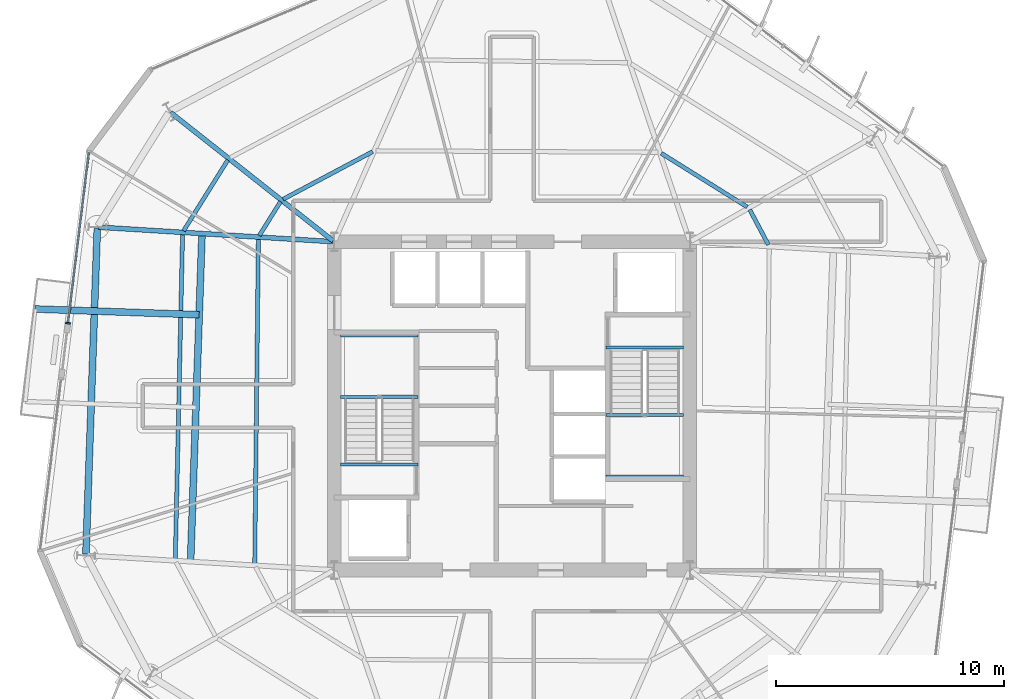
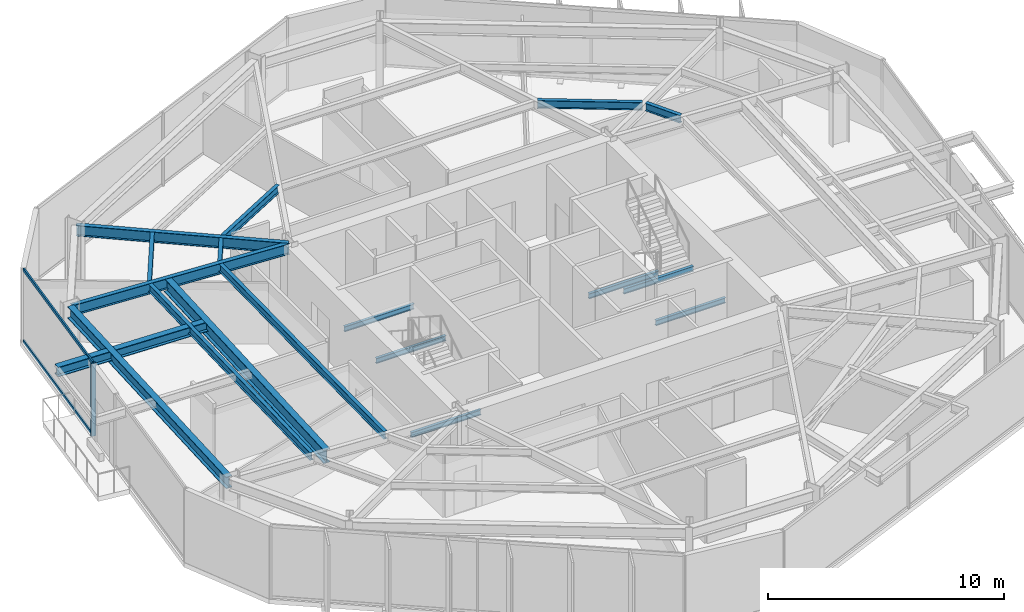
# One storey, part 3 of 11: 18 beams, 3 members, 1 element without a shape of its own.
"""IFC4 building model written with IfcOpenShell, lengths in metres."""

from ifc_helpers import new_model, si_unit, direction, frame, origin, origin_2d, place, context, subcontext, project, spatial, rectangle, i_section, extrude, material, layer, layer_set, material_profile, profile_set, type_object, element, aggregate, save


model = new_model("IFC4")

# Units and contexts
model_context = context("Model", 3, precision=1e-05, world=origin(), true_north=direction((0.0, 1.0)))
body_context = subcontext(model_context, "Body", "Model", "MODEL_VIEW")
ifc_project = project(units=[si_unit("LENGTHUNIT", "METRE"), si_unit("AREAUNIT", "SQUARE_METRE"), si_unit("VOLUMEUNIT", "CUBIC_METRE"), si_unit("PLANEANGLEUNIT", "RADIAN"), si_unit("MASSUNIT", "GRAM", prefix="KILO")], contexts=[model_context])

# Site, building, storey
site_placement = place(None, origin())
site = spatial("IfcSite", under=ifc_project, at=site_placement, CompositionType="ELEMENT")
building_placement = place(site_placement, origin())
building = spatial("IfcBuilding", under=site, at=building_placement, Name="Kranzbogen Civic Tower", CompositionType="ELEMENT")
storey_placement = place(building_placement, frame((0.0, 0.0, 114.39990234375)))
storey = spatial("IfcBuildingStorey", under=building, at=storey_placement, Name="L27", CompositionType="ELEMENT", Elevation=114.39990234375)

# Curtain wall, members
ifc_material_1 = material(Name="Pale Anodised Aluminium", Category="aluminium")
ifc_layer = layer(ifc_material_1, 0.219970703125, Name="Pale Anodised Aluminium")
ifc_layer_set = layer_set([ifc_layer], Name="Pale Anodised Aluminium")
curtain_wall_type = type_object("IfcCurtainWallType", Name="Zone 2 Stick Curtain Wall System CW-03", PredefinedType="USERDEFINED", material=ifc_layer_set)
curtain_wall_placement = place(storey_placement, origin())
curtain_wall = element("IfcCurtainWall", 1, at=curtain_wall_placement, inside=storey, type_object=curtain_wall_type, Name="L27 curtain wall CW-L27-F3-S1", ObjectType="STICK CURTAIN WALL", PredefinedType="USERDEFINED")
ifc_material_profile_1 = material_profile(ifc_material_1, rectangle(XDim=0.074951171875, YDim=0.219970703125, at=origin_2d()), Name="ALU-M 75x220")
ifc_profile_set_1 = profile_set([ifc_material_profile_1], Name="Pale Anodised Aluminium")
member_type_1 = type_object("IfcMemberType", Name="Curtain Wall Mullion ALU-M 75x220", PredefinedType="MULLION", material=ifc_profile_set_1)
member_1_placement = place(storey_placement, frame((5.525634765625, 28.6298828125, 0.0), z_axis=(0.0, 0.0, 1.0), x_axis=(-0.121809807043, -0.992553459975, 0.0)))
member_1 = element("IfcMember", 2, at=member_1_placement, type_object=member_type_1, Name="CW-03 mullion 2", PredefinedType="MULLION", context=body_context, shape_type="SweptSolid", body=[
    extrude(rectangle(XDim=0.074951171875, YDim=0.219970703125, at=origin_2d()), origin(), (0.0, 0.0, 1.0), 3.760009765625),
])
ifc_material_profile_2 = material_profile(ifc_material_1, rectangle(XDim=0.074951171875, YDim=0.1650390625, at=origin_2d()), Name="ALU-T 75x165")
ifc_profile_set_2 = profile_set([ifc_material_profile_2], Name="Pale Anodised Aluminium")
member_type_2 = type_object("IfcMemberType", Name="Curtain Wall Transom ALU-T 75x165", PredefinedType="USERDEFINED", material=ifc_profile_set_2)
member_2_placement = place(storey_placement, frame((6.444580078125, 36.118408203125, 0.030029296875), z_axis=(-0.121799214261, -0.992554759903, 0.0), x_axis=(0.992554759903, -0.121799214261, 0.0)))
member_2 = element("IfcMember", 3, at=member_2_placement, type_object=member_type_2, Name="CW-03 transom 1.1", ObjectType="TRANSOM", PredefinedType="USERDEFINED", context=body_context, shape_type="SweptSolid", body=[
    extrude(rectangle(XDim=0.074951171875, YDim=0.1650390625, at=origin_2d()), origin(), (0.0, 0.0, 1.0), 7.5146484375),
])
member_3_placement = place(storey_placement, frame((6.444580078125, 36.118408203125, 3.72998046875), z_axis=(-0.121799214261, -0.992554759903, 0.0), x_axis=(0.992554759903, -0.121799214261, 0.0)))
member_3 = element("IfcMember", 4, at=member_3_placement, type_object=member_type_2, Name="CW-03 transom 1.2", ObjectType="TRANSOM", PredefinedType="USERDEFINED", context=body_context, shape_type="SweptSolid", body=[
    extrude(rectangle(XDim=0.074951171875, YDim=0.1650390625, at=origin_2d()), origin(), (0.0, 0.0, 1.0), 7.5146484375),
])
aggregate(curtain_wall, [member_1, member_2, member_3])

# Beams
ifc_material_2 = material(Name="Steel S355", Category="steel")
ifc_material_profile_3 = material_profile(ifc_material_2, i_section(OverallWidth=0.300048828125, OverallDepth=0.5, WebThickness=0.014404296875, FlangeThickness=0.028076171875, at=origin_2d()), Name="HEB 500")
ifc_profile_set_3 = profile_set([ifc_material_profile_3], Name="Steel S355")
beam_type_1 = type_object("IfcBeamType", Name="Perimeter Tube Spandrel Beam HEB 500", PredefinedType="SPANDREL", material=ifc_profile_set_3)
beam_1_placement = place(storey_placement, frame((11.280029296875, 28.9990234375, 3.5), z_axis=(-0.999388281297, 0.034972320582, 0.0), x_axis=(-0.034972320582, -0.999388281297, 0.0)))
element("IfcBeam", 5, at=beam_1_placement, inside=storey, type_object=beam_type_1, Name="L28 back-spanned terrace beam L28-TB2-1", PredefinedType="SPANDREL", context=body_context, shape_type="SweptSolid", body=[
    extrude(i_section(OverallWidth=0.300048828125, OverallDepth=0.5, WebThickness=0.014404296875, FlangeThickness=0.028076171875, at=origin_2d()), origin(), (0.0, 0.0, 1.0), 7.204345703125),
])
ifc_material_profile_4 = material_profile(ifc_material_2, i_section(OverallWidth=0.300048828125, OverallDepth=0.60009765625, WebThickness=0.015380859375, FlangeThickness=0.030029296875, at=origin_2d()), Name="HEB 600")
ifc_profile_set_4 = profile_set([ifc_material_profile_4], Name="Steel S355")
beam_type_2 = type_object("IfcBeamType", Name="Perimeter Tube Spandrel Beam HEB 600", PredefinedType="SPANDREL", material=ifc_profile_set_4)
beam_2_placement = place(storey_placement, frame((6.81103515625, 32.783935546875, 3.460205078125), z_axis=(-0.034924229103, -0.999389963038, 0.0), x_axis=(0.999389963038, -0.034924229103, 0.0)))
element("IfcBeam", 6, at=beam_2_placement, inside=storey, type_object=beam_type_2, Name="L27 perimeter spandrel beam 12", PredefinedType="SPANDREL", context=body_context, shape_type="SweptSolid", body=[
    extrude(i_section(OverallWidth=0.300048828125, OverallDepth=0.60009765625, WebThickness=0.015380859375, FlangeThickness=0.030029296875, at=origin_2d()), origin(), (0.0, 0.0, 1.0), 14.288818359375),
])
ifc_material_profile_5 = material_profile(ifc_material_2, i_section(OverallWidth=0.300048828125, OverallDepth=0.699951171875, WebThickness=0.01708984375, FlangeThickness=0.031982421875, at=origin_2d()), Name="HEB 700")
ifc_profile_set_5 = profile_set([ifc_material_profile_5], Name="Steel S355")
beam_type_3 = type_object("IfcBeamType", Name="Perimeter Tube Spandrel Beam HEB 700", PredefinedType="SPANDREL", material=ifc_profile_set_5)
beam_3_placement = place(storey_placement, frame((11.404052734375, 32.55908203125, 3.400146484375), z_axis=(-0.034868227602, -0.99939191847, 0.0), x_axis=(0.99939191847, -0.034868227602, 0.0)))
element("IfcBeam", 7, at=beam_3_placement, inside=storey, type_object=beam_type_3, Name="L28 balcony back-span header girder L28-TB2", PredefinedType="SPANDREL", context=body_context, shape_type="SweptSolid", body=[
    extrude(i_section(OverallWidth=0.300048828125, OverallDepth=0.699951171875, WebThickness=0.01708984375, FlangeThickness=0.031982421875, at=origin_2d()), origin(), (0.0, 0.0, 1.0), 14.395751953125),
])
ifc_material_profile_6 = material_profile(ifc_material_2, i_section(OverallWidth=0.2099609375, OverallDepth=0.550048828125, WebThickness=0.010986328125, FlangeThickness=0.01708984375, at=origin_2d()), Name="IPE 550")
ifc_profile_set_6 = profile_set([ifc_material_profile_6], Name="Steel S355")
beam_type_4 = type_object("IfcBeamType", Name="Radial Tower Floor Girder IPE 550", PredefinedType="BEAM", material=ifc_profile_set_6)
beam_4_placement = place(storey_placement, frame((10.02392578125, 37.87109375, 3.485107421875), z_axis=(0.78457455683, -0.620034486763, 0.0), x_axis=(0.620034486763, 0.78457455683, 0.0)))
element("IfcBeam", 8, at=beam_4_placement, inside=storey, type_object=beam_type_4, Name="L27 radial floor girder 11", PredefinedType="BEAM", context=body_context, shape_type="SweptSolid", body=[
    extrude(i_section(OverallWidth=0.2099609375, OverallDepth=0.550048828125, WebThickness=0.010986328125, FlangeThickness=0.01708984375, at=origin_2d()), origin(), (0.0, 0.0, 1.0), 9.086669921875),
])
beam_5_placement = place(storey_placement, frame((6.873046875, 32.840087890625, 3.485107421875), z_axis=(0.998086872961, -0.061827130147, 0.0), x_axis=(0.061827130147, 0.998086872961, 0.0)))
element("IfcBeam", 9, at=beam_5_placement, inside=storey, type_object=beam_type_4, Name="L27 radial floor girder 12", PredefinedType="BEAM", context=body_context, shape_type="SweptSolid", body=[
    extrude(i_section(OverallWidth=0.2099609375, OverallDepth=0.550048828125, WebThickness=0.010986328125, FlangeThickness=0.01708984375, at=origin_2d()), origin(), (0.0, 0.0, 1.0), 10.28662109375),
])
ifc_material_profile_7 = material_profile(ifc_material_2, i_section(OverallWidth=0.179931640625, OverallDepth=0.39990234375, WebThickness=0.008544921875, FlangeThickness=0.013427734375, at=origin_2d()), Name="IPE 400")
ifc_profile_set_7 = profile_set([ifc_material_profile_7], Name="Steel S355")
beam_type_5 = type_object("IfcBeamType", Name="Secondary Composite Floor Joist IPE 400", PredefinedType="JOIST", material=ifc_profile_set_7)
beam_6_placement = place(storey_placement, frame((36.2470703125, 32.06494140625, 3.56005859375), z_axis=(-0.46943723363, 0.882965845139, 0.0), x_axis=(-0.882965845139, -0.46943723363, 0.0)))
element("IfcBeam", 10, at=beam_6_placement, inside=storey, type_object=beam_type_5, Name="L27 secondary floor joist 2.07", PredefinedType="JOIST", context=body_context, shape_type="SweptSolid", body=[
    extrude(i_section(OverallWidth=0.179931640625, OverallDepth=0.39990234375, WebThickness=0.008544921875, FlangeThickness=0.013427734375, at=origin_2d()), origin(), (0.0, 0.0, 1.0), 1.7509765625),
])
beam_7_placement = place(storey_placement, frame((35.320068359375, 33.72412109375, 3.56005859375), z_axis=(-0.848093834398, 0.529846060716, 0.0), x_axis=(-0.529846060716, -0.848093834398, 0.0)))
element("IfcBeam", 11, at=beam_7_placement, inside=storey, type_object=beam_type_5, Name="L27 secondary floor joist 2.08", PredefinedType="JOIST", context=body_context, shape_type="SweptSolid", body=[
    extrude(i_section(OverallWidth=0.179931640625, OverallDepth=0.39990234375, WebThickness=0.008544921875, FlangeThickness=0.013427734375, at=origin_2d()), origin(), (0.0, 0.0, 1.0), 4.4501953125),
])
beam_8_placement = place(storey_placement, frame((18.888916015625, 36.153076171875, 3.56005859375), z_axis=(-0.882991399158, -0.469389165844, 0.0), x_axis=(0.469389165844, -0.882991399158, 0.0)))
element("IfcBeam", 12, at=beam_8_placement, inside=storey, type_object=beam_type_5, Name="L27 secondary floor joist 2.10", PredefinedType="JOIST", context=body_context, shape_type="SweptSolid", body=[
    extrude(i_section(OverallWidth=0.179931640625, OverallDepth=0.39990234375, WebThickness=0.008544921875, FlangeThickness=0.013427734375, at=origin_2d()), origin(), (0.0, 0.0, 1.0), 4.45068359375),
])
beam_9_placement = place(storey_placement, frame((12.534912109375, 35.784912109375, 3.56005859375), z_axis=(-0.529867065107, -0.848080711557, 0.0), x_axis=(0.848080711557, -0.529867065107, 0.0)))
element("IfcBeam", 13, at=beam_9_placement, inside=storey, type_object=beam_type_5, Name="L27 secondary floor joist 1.11", PredefinedType="JOIST", context=body_context, shape_type="SweptSolid", body=[
    extrude(i_section(OverallWidth=0.179931640625, OverallDepth=0.39990234375, WebThickness=0.008544921875, FlangeThickness=0.013427734375, at=origin_2d()), origin(), (0.0, 0.0, 1.0), 3.6611328125),
])
beam_10_placement = place(storey_placement, frame((14.845947265625, 33.958984375, 3.56005859375), z_axis=(-0.529572623603, -0.84826460278, 0.0), x_axis=(0.84826460278, -0.529572623603, 0.0)))
element("IfcBeam", 14, at=beam_10_placement, inside=storey, type_object=beam_type_5, Name="L27 secondary floor joist 2.11", PredefinedType="JOIST", context=body_context, shape_type="SweptSolid", body=[
    extrude(i_section(OverallWidth=0.179931640625, OverallDepth=0.39990234375, WebThickness=0.008544921875, FlangeThickness=0.013427734375, at=origin_2d()), origin(), (0.0, 0.0, 1.0), 1.75048828125),
])
beam_11_placement = place(storey_placement, frame((10.551025390625, 32.531982421875, 3.56005859375), z_axis=(-0.022402523442, -0.999749031979, 0.0), x_axis=(0.999749031979, -0.022402523442, 0.0)))
element("IfcBeam", 15, at=beam_11_placement, inside=storey, type_object=beam_type_5, Name="L27 secondary floor joist 1.12", PredefinedType="JOIST", context=body_context, shape_type="SweptSolid", body=[
    extrude(i_section(OverallWidth=0.179931640625, OverallDepth=0.39990234375, WebThickness=0.008544921875, FlangeThickness=0.013427734375, at=origin_2d()), origin(), (0.0, 0.0, 1.0), 14.24365234375),
])
beam_12_placement = place(storey_placement, frame((13.875, 32.325927734375, 3.56005859375), z_axis=(-0.011160516663, -0.999937719494, 0.0), x_axis=(0.999937719494, -0.011160516663, 0.0)))
element("IfcBeam", 16, at=beam_12_placement, inside=storey, type_object=beam_type_5, Name="L27 secondary floor joist 2.12", PredefinedType="JOIST", context=body_context, shape_type="SweptSolid", body=[
    extrude(i_section(OverallWidth=0.179931640625, OverallDepth=0.39990234375, WebThickness=0.008544921875, FlangeThickness=0.013427734375, at=origin_2d()), origin(), (0.0, 0.0, 1.0), 14.240966796875),
])
ifc_material_profile_8 = material_profile(ifc_material_2, i_section(OverallWidth=0.135009765625, OverallDepth=0.27001953125, WebThickness=0.006591796875, FlangeThickness=0.01025390625, at=origin_2d()), Name="IPE 270")
ifc_profile_set_8 = profile_set([ifc_material_profile_8], Name="Steel S355")
beam_type_6 = type_object("IfcBeamType", Name="Stair Landing Support Beam IPE 270", PredefinedType="JOIST", material=ifc_profile_set_8)
for number, where, z_axis, x_axis, name in (
    (17, (20.8798828125, 22.43994140625, -0.375), (-1.0, 0.0, 0.0), (0.0, -1.0, 0.0), "L27 ST-T1 stair floor header beam"),
    (18, (20.8798828125, 25.39990234375, 1.6650390625), (-1.0, 0.0, 0.0), (0.0, -1.0, 0.0), "L27 ST-T1 landing support beam 1.1"),
    (19, (20.8798828125, 28.10009765625, 1.6650390625), (-1.0, 0.0, 0.0), (0.0, -1.0, 0.0), "L27 ST-T1 landing support beam 1.2"),
    (20, (29.1201171875, 27.56005859375, -0.375), (1.0, 0.0, 0.0), (0.0, 1.0, 0.0), "L27 ST-T2 stair floor header beam"),
    (21, (29.1201171875, 24.60009765625, 1.6650390625), (1.0, 0.0, 0.0), (0.0, 1.0, 0.0), "L27 ST-T2 landing support beam 1.1"),
    (22, (29.1201171875, 21.89990234375, 1.6650390625), (1.0, 0.0, 0.0), (0.0, 1.0, 0.0), "L27 ST-T2 landing support beam 1.2"),
):
    element("IfcBeam", number, at=place(storey_placement, frame(where, z_axis=z_axis, x_axis=x_axis)), inside=storey, type_object=beam_type_6, Name=name, PredefinedType="JOIST", context=body_context, shape_type="SweptSolid", body=[
        extrude(i_section(OverallWidth=0.135009765625, OverallDepth=0.27001953125, WebThickness=0.006591796875, FlangeThickness=0.01025390625, at=origin_2d()), origin(), (0.0, 0.0, 1.0), 3.409912109375),
    ])

save(model, "model.ifc")
